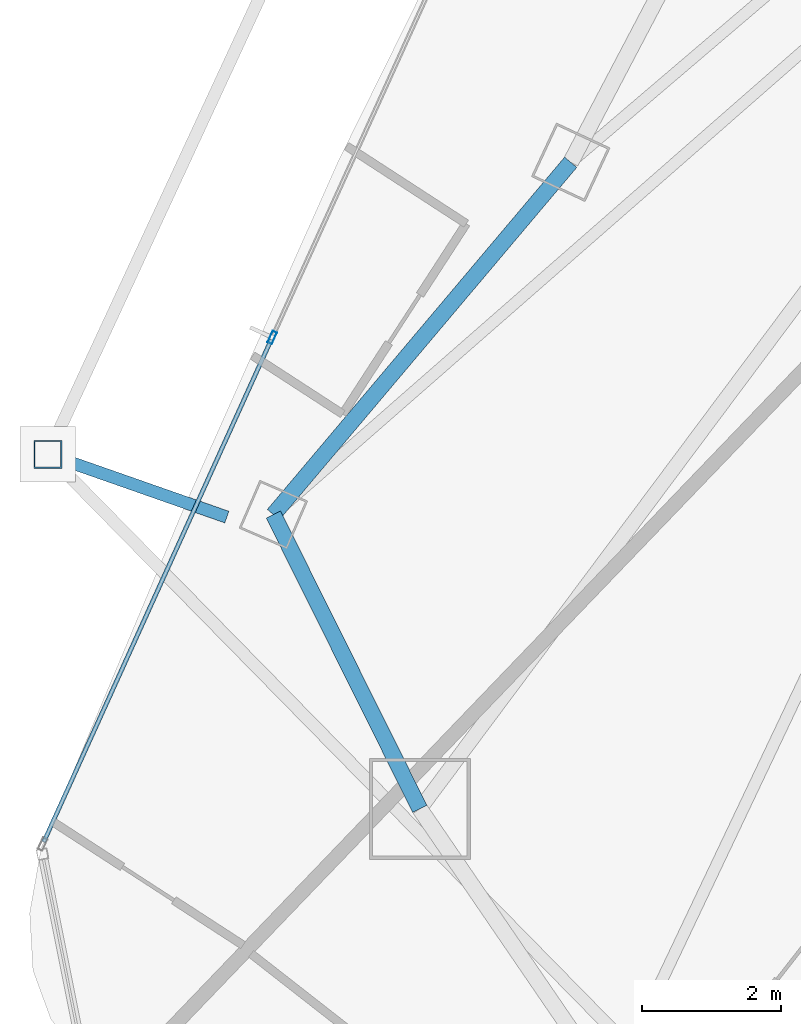
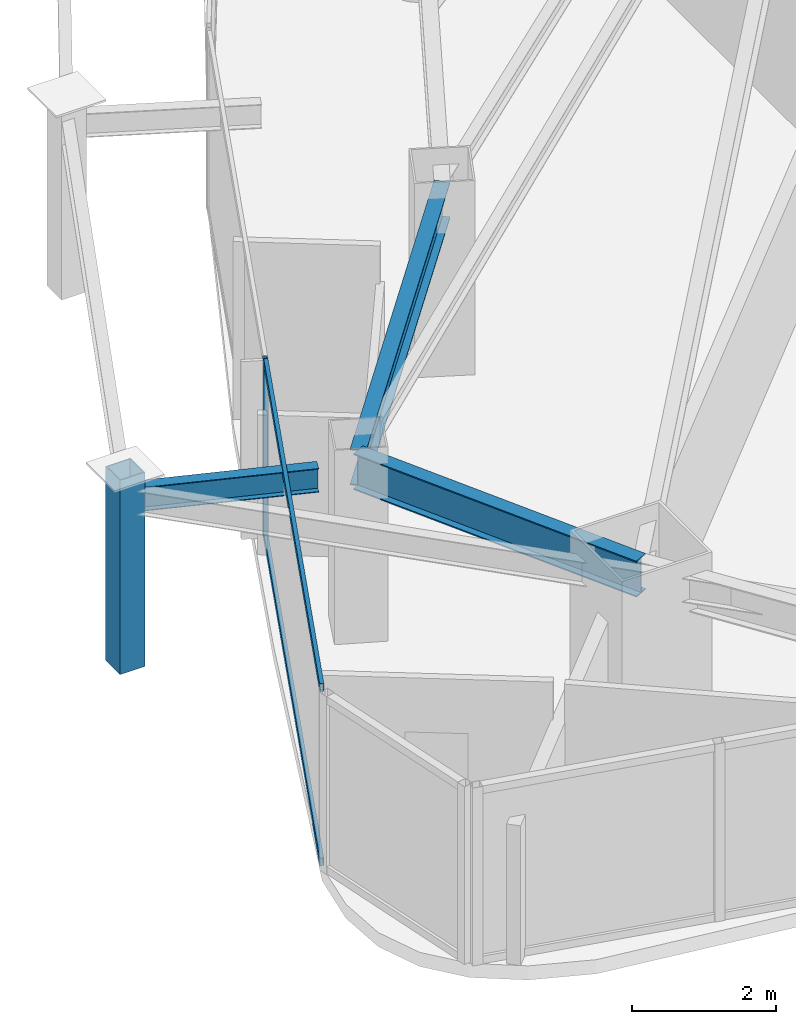
# One storey, part 5 of 31: 4 members, 3 beams, 1 element without a shape of its own.
"""IFC4 building model written with IfcOpenShell, lengths in metres."""

from ifc_helpers import new_model, si_unit, direction, frame, origin, origin_2d, place, context, subcontext, project, spatial, hollow_rectangle, i_section, extrude, material, layer, layer_set, material_profile, profile_set, type_object, element, aggregate, save


model = new_model("IFC4")

# Units and contexts
model_context = context("Model", 3, precision=1e-05, world=origin(), true_north=direction((0.0, 1.0)))
body_context = subcontext(model_context, "Body", "Model", "MODEL_VIEW")
ifc_project = project(units=[si_unit("LENGTHUNIT", "METRE"), si_unit("AREAUNIT", "SQUARE_METRE"), si_unit("VOLUMEUNIT", "CUBIC_METRE"), si_unit("PLANEANGLEUNIT", "RADIAN"), si_unit("MASSUNIT", "GRAM", prefix="KILO")], contexts=[model_context])

# Site, building, storey
site_placement = place(None, origin())
site = spatial("IfcSite", under=ifc_project, at=site_placement, CompositionType="ELEMENT")
building_placement = place(site_placement, origin())
building = spatial("IfcBuilding", under=site, at=building_placement, Name="Orvanel Arch Residences", CompositionType="ELEMENT")
storey_placement = place(building_placement, frame((0.0, 0.0, 183.64990234375)))
storey = spatial("IfcBuildingStorey", under=building, at=storey_placement, Name="L52", CompositionType="ELEMENT", Elevation=183.64990234375)

# Curtain wall, member
ifc_material_1 = material(Name="Bronze-anodised aluminium AA6063-T6", Category="aluminium")
ifc_layer = layer(ifc_material_1, 0.179931640625)
ifc_layer_set = layer_set([ifc_layer], Name="Bronze-anodised aluminium AA6063-T6")
curtain_wall_type = type_object("IfcCurtainWallType", Name="CW3-MID-SYS", PredefinedType="NOTDEFINED", material=ifc_layer_set)
curtain_wall_placement = place(storey_placement, origin())
curtain_wall = element("IfcCurtainWall", 1, at=curtain_wall_placement, inside=storey, type_object=curtain_wall_type, Name="L52 CW3-MID-SYS Unitised Curtain Wall", PredefinedType="NOTDEFINED")
ifc_material_profile_1 = material_profile(ifc_material_1, hollow_rectangle(XDim=0.070068359375, YDim=0.179931640625, WallThickness=0.00439453125, at=origin_2d()), Name="ALU180x70x4.5")
ifc_profile_set_1 = profile_set([ifc_material_profile_1], Name="Bronze-anodised aluminium AA6063-T6")
member_type_1 = type_object("IfcMemberType", Name="MUL-180x70", PredefinedType="MULLION", material=ifc_profile_set_1)
member_1_placement = place(storey_placement, frame((12.077880859375, 17.12548828125, 0.0), z_axis=(0.0, 0.0, 1.0), x_axis=(0.910943582501, -0.412530955809, 0.0)))
member_1 = element("IfcMember", 2, at=member_1_placement, type_object=member_type_1, Name="CW-S3 mullion 2", PredefinedType="MULLION", context=body_context, shape_type="SweptSolid", body=[
    extrude(hollow_rectangle(XDim=0.070068359375, YDim=0.179931640625, WallThickness=0.00439453125, at=origin_2d()), origin(), (0.0, 0.0, 1.0), 3.02001953125),
])

# Beams
ifc_material_2 = material(Name="Structural steel AS/NZS 3679.1 Grade 300 (300 MPa)", Category="steel")
ifc_material_profile_2 = material_profile(ifc_material_2, i_section(OverallWidth=0.177978515625, OverallDepth=0.406005859375, WebThickness=0.0078125, FlangeThickness=0.0126953125, at=origin_2d()), Name="410UB59.7")
ifc_profile_set_2 = profile_set([ifc_material_profile_2], Name="Structural steel AS/NZS 3679.1 Grade 300 (300 MPa)")
beam_type_1 = type_object("IfcBeamType", Name="OB-410UB-EXT", PredefinedType="SPANDREL", material=ifc_profile_set_2)
beam_1_placement = place(storey_placement, frame((11.426025390625, 14.5439453125, 2.817138671875), z_axis=(-0.943753563021, 0.330649682118, 0.0), x_axis=(-0.330649682118, -0.943753563021, 0.0)))
element("IfcBeam", 3, at=beam_1_placement, inside=storey, type_object=beam_type_1, Name="L52 Outer Frame Radial Tie Beam 04", PredefinedType="SPANDREL", context=body_context, shape_type="SweptSolid", body=[
    extrude(i_section(OverallWidth=0.177978515625, OverallDepth=0.406005859375, WebThickness=0.0078125, FlangeThickness=0.0126953125, at=origin_2d()), origin(), (0.0, 0.0, 1.0), 2.725341796875),
])
ifc_material_profile_3 = material_profile(ifc_material_2, i_section(OverallWidth=0.22900390625, OverallDepth=0.612060546875, WebThickness=0.011962890625, FlangeThickness=0.01953125, at=origin_2d()), Name="610UB125")
ifc_profile_set_3 = profile_set([ifc_material_profile_3], Name="Structural steel AS/NZS 3679.1 Grade 300 (300 MPa)")
beam_type_2 = type_object("IfcBeamType", Name="SP-610UB", PredefinedType="SPANDREL", material=ifc_profile_set_3)
beam_2_placement = place(storey_placement, frame((16.366943359375, 19.64208984375, 2.714111328125), z_axis=(-0.644950329775, -0.764224490659, 0.0), x_axis=(0.764224490659, -0.644950329775, 0.0)))
element("IfcBeam", 4, at=beam_2_placement, inside=storey, type_object=beam_type_2, Name="L52 Perimeter Spandrel Beam 01", PredefinedType="SPANDREL", context=body_context, shape_type="SweptSolid", body=[
    extrude(i_section(OverallWidth=0.22900390625, OverallDepth=0.612060546875, WebThickness=0.011962890625, FlangeThickness=0.01953125, at=origin_2d()), origin(), (0.0, 0.0, 1.0), 6.623779296875),
])
beam_3_placement = place(storey_placement, frame((12.094970703125, 14.580078125, 2.714111328125), z_axis=(0.44543469453, -0.895314432425, 0.0), x_axis=(0.895314432425, 0.44543469453, 0.0)))
element("IfcBeam", 5, at=beam_3_placement, inside=storey, type_object=beam_type_2, Name="L52 Perimeter Spandrel Beam 02", PredefinedType="SPANDREL", context=body_context, shape_type="SweptSolid", body=[
    extrude(i_section(OverallWidth=0.22900390625, OverallDepth=0.612060546875, WebThickness=0.011962890625, FlangeThickness=0.01953125, at=origin_2d()), origin(), (0.0, 0.0, 1.0), 4.723388671875),
])

# Member
ifc_material_3 = material(Name="Structural steel AS/NZS 1163 C450L0 (Grade 450)", Category="steel")
ifc_material_profile_4 = material_profile(ifc_material_3, hollow_rectangle(XDim=0.39990234375, YDim=0.39990234375, WallThickness=0.01611328125, at=origin_2d()), Name="SHS400x400x16")
ifc_profile_set_4 = profile_set([ifc_material_profile_4], Name="Structural steel AS/NZS 1163 C450L0 (Grade 450)")
member_type_2 = type_object("IfcMemberType", Name="ST-400SHS-EXT", PredefinedType="STRUT", material=ifc_profile_set_4)
member_2_placement = place(storey_placement, frame((8.85400390625, 15.445068359375, 0.0), z_axis=(0.0, 0.0, 1.0), x_axis=(1.0, 0.0, 0.0)))
element("IfcMember", 6, at=member_2_placement, inside=storey, type_object=member_type_2, Name="L52 Outer Perimeter Frame Post 04", PredefinedType="STRUT", context=body_context, shape_type="SweptSolid", body=[
    extrude(hollow_rectangle(XDim=0.39990234375, YDim=0.39990234375, WallThickness=0.01611328125, at=origin_2d()), origin(), (0.0, 0.0, 1.0), 3.300048828125),
])

ifc_material_profile_5 = material_profile(ifc_material_1, hollow_rectangle(XDim=0.06005859375, YDim=0.135009765625, WallThickness=0.00390625, at=origin_2d()), Name="ALU135x60x4")
ifc_profile_set_5 = profile_set([ifc_material_profile_5], Name="Bronze-anodised aluminium AA6063-T6")
member_type_3 = type_object("IfcMemberType", Name="TRN-135x60", PredefinedType="USERDEFINED", material=ifc_profile_set_5)
member_3_placement = place(storey_placement, frame((12.0634765625, 17.093505859375, 0.030029296875), z_axis=(-0.412521061717, -0.910948063086, 0.0), x_axis=(0.910948063086, -0.412521061717, 0.0)))
member_3 = element("IfcMember", 7, at=member_3_placement, type_object=member_type_3, Name="CW-S3 transom 2.1", ObjectType="TRANSOM", PredefinedType="USERDEFINED", context=body_context, shape_type="SweptSolid", body=[
    extrude(hollow_rectangle(XDim=0.06005859375, YDim=0.135009765625, WallThickness=0.00390625, at=origin_2d()), origin(), (0.0, 0.0, 1.0), 7.92333984375),
])

member_4_placement = place(storey_placement, frame((12.0634765625, 17.093505859375, 2.989990234375), z_axis=(-0.412521061717, -0.910948063086, 0.0), x_axis=(0.910948063086, -0.412521061717, 0.0)))
member_4 = element("IfcMember", 8, at=member_4_placement, type_object=member_type_3, Name="CW-S3 transom 2.2", ObjectType="TRANSOM", PredefinedType="USERDEFINED", context=body_context, shape_type="SweptSolid", body=[
    extrude(hollow_rectangle(XDim=0.06005859375, YDim=0.135009765625, WallThickness=0.00390625, at=origin_2d()), origin(), (0.0, 0.0, 1.0), 7.92333984375),
])

aggregate(curtain_wall, [member_1, member_3, member_4])

save(model, "model.ifc")
